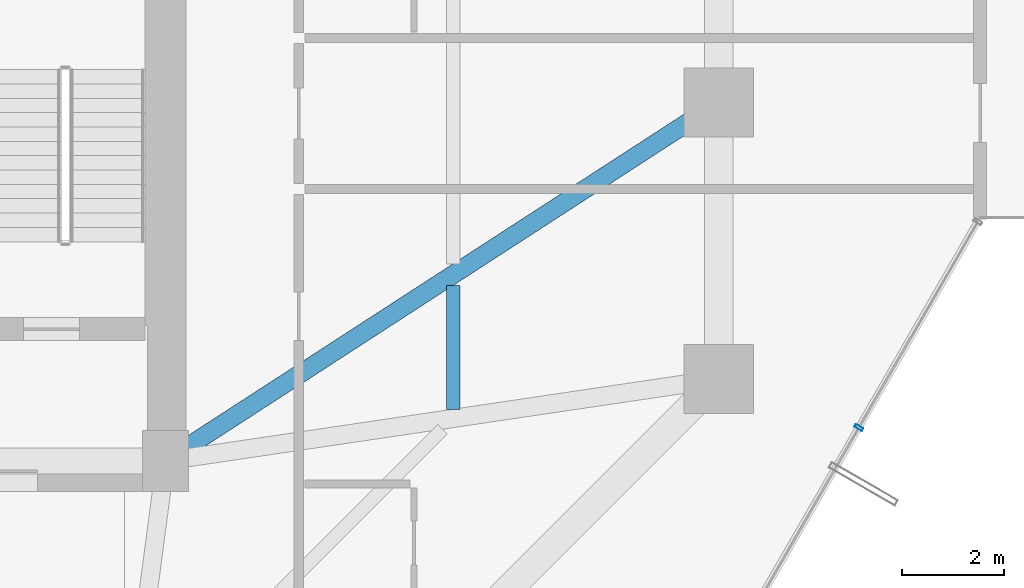
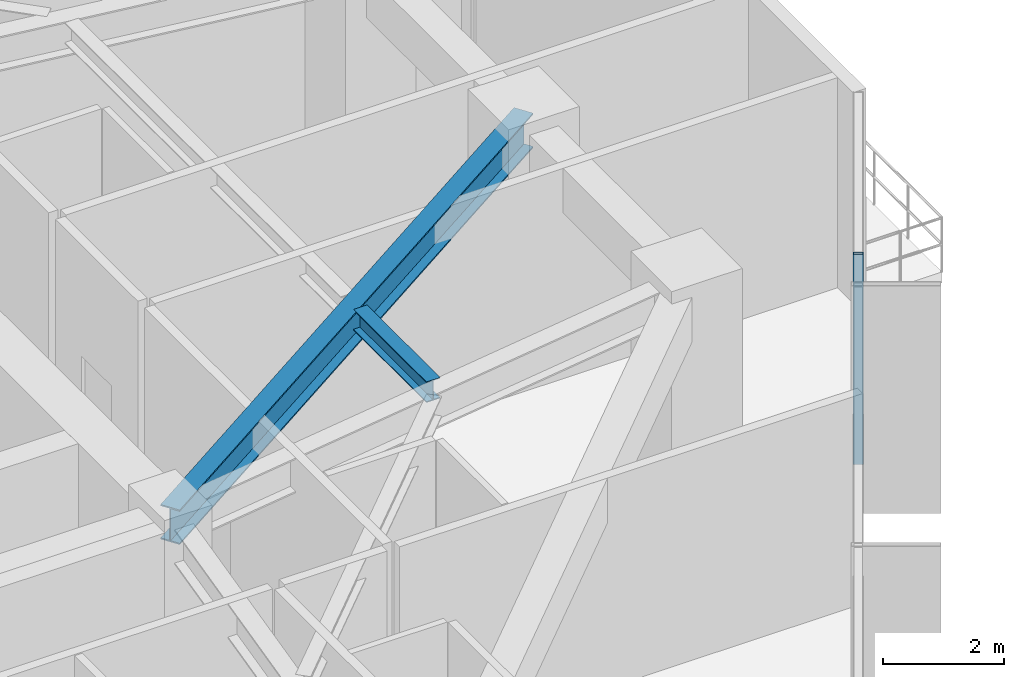
# One storey, part 18 of 39: 2 beams, 1 member, 1 element without a shape of its own.
"""IFC4 building model written with IfcOpenShell, lengths in metres."""

import ifcopenshell
import ifcopenshell.guid

model = None  # the IFC model being written
_history = None  # IfcOwnerHistory: only IFC2X3 demands one
_inside = {}  # id of a spatial element -> (the spatial element, [elements in it])
_under = {}  # id of a project, library or spatial element -> (it, [spatial elements below it])
_declared = {}  # id of a project -> (the project, [libraries it declares])
_typed = {}  # id of a type object -> (the type object, [elements of that type])
_made_of = {}  # id of a material, layer set ... -> (it, [elements and type objects made of it])


def new_model(schema):
    """Start an empty IFC model of exactly this schema.

    Asked for "IFC4X3", IfcOpenShell would pick the latest addendum, in which some entities
    have other attributes; the version numbers below select the first issue.
    IFC2X3 requires an IfcOwnerHistory on every rooted entity: one is made here for all.
    """
    global model, _history
    if schema == "IFC4X3":
        model = ifcopenshell.file(schema_version=(4, 3, 0, 0))
    else:
        model = ifcopenshell.file(schema=schema)
    _inside.clear()
    _under.clear()
    _declared.clear()
    _typed.clear()
    _made_of.clear()
    _history = None
    if model.schema == "IFC2X3":
        org = make("IfcOrganization", Name="unknown")
        user = make(
            "IfcPersonAndOrganization",
            ThePerson=make("IfcPerson", FamilyName="unknown"),
            TheOrganization=org,
        )
        app = make(
            "IfcApplication",
            ApplicationDeveloper=org,
            Version="unknown",
            ApplicationFullName="unknown",
            ApplicationIdentifier="unknown",
        )
        _history = make(
            "IfcOwnerHistory",
            OwningUser=user,
            OwningApplication=app,
            ChangeAction="ADDED",
            CreationDate=0,
        )
    return model


def make(cls, **values):
    """One entity of the class cls with the attributes given. An attribute that is None is left unset."""
    return model.create_entity(
        cls, **{name: value for name, value in values.items() if value is not None}
    )


def rooted(cls, **values):
    """An entity with a GlobalId (a new one), such as an element, a storey or a relation."""
    return make(cls, GlobalId=ifcopenshell.guid.new(), OwnerHistory=_history, **values)


def si_unit(unit_type, name, prefix=None):
    """IfcSIUnit, for example si_unit("LENGTHUNIT", "METRE", prefix="MILLI")."""
    return make("IfcSIUnit", UnitType=unit_type, Prefix=prefix, Name=name)


def assignment(units):
    """IfcUnitAssignment: the units of a project."""
    return None if units is None else make("IfcUnitAssignment", Units=units)


def point(xyz):
    """IfcCartesianPoint."""
    return None if xyz is None else make("IfcCartesianPoint", Coordinates=xyz)


def direction(xyz):
    """IfcDirection."""
    return None if xyz is None else make("IfcDirection", DirectionRatios=xyz)


def frame(location, z_axis=None, x_axis=None):
    """IfcAxis2Placement3D, a coordinate frame: its origin and axes. An axis left out is left unset."""
    return make(
        "IfcAxis2Placement3D",
        Location=point(location),
        Axis=direction(z_axis),
        RefDirection=direction(x_axis),
    )


def frame_2d(location, x_axis=None):
    """IfcAxis2Placement2D, a coordinate frame in the plane: its origin and x axis."""
    return make(
        "IfcAxis2Placement2D", Location=point(location), RefDirection=direction(x_axis)
    )


def origin():
    """The frame at (0, 0, 0) with its axes left unset."""
    return frame((0.0, 0.0, 0.0))


def origin_2d():
    """The frame at (0, 0) in the plane with its x axis left unset."""
    return frame_2d((0.0, 0.0))


def place(relative_to, where):
    """IfcLocalPlacement: puts the frame where relative to a parent placement (None: the world)."""
    return make(
        "IfcLocalPlacement", PlacementRelTo=relative_to, RelativePlacement=where
    )


def context(
    kind, dimensions, precision=None, world=None, true_north=None, identifier=None
):
    """IfcGeometricRepresentationContext, for example the 3D "Model" context."""
    return make(
        "IfcGeometricRepresentationContext",
        ContextIdentifier=identifier,
        ContextType=kind,
        CoordinateSpaceDimension=dimensions,
        Precision=precision,
        WorldCoordinateSystem=world,
        TrueNorth=true_north,
    )


def subcontext(parent, identifier, kind, view, scale=None):
    """IfcGeometricRepresentationSubContext, for example "Body" below "Model"."""
    return make(
        "IfcGeometricRepresentationSubContext",
        ContextIdentifier=identifier,
        ContextType=kind,
        ParentContext=parent,
        TargetScale=scale,
        TargetView=view,
    )


def project(units=None, contexts=None):
    """IfcProject with its units and contexts."""
    return rooted(
        "IfcProject",
        Name="project",
        RepresentationContexts=contexts,
        UnitsInContext=assignment(units),
    )


def spatial(cls, under=None, at=None, **own):
    """A site, building, storey or space (cls), placed at a placement, below another one or the project."""
    s = rooted(cls, ObjectPlacement=at, **own)
    if under is not None:
        _under.setdefault(under.id(), (under, []))[1].append(s)
    return s


def profile(cls, at=None, kind="AREA", **sizes):
    """A parametric profile (cls). Its sizes go by their IFC names, for example OverallWidth=200.0."""
    return make(cls, ProfileType=kind, Position=at, **sizes)


def hollow_rectangle(**sizes):
    """IfcRectangleHollowProfileDef."""
    return profile("IfcRectangleHollowProfileDef", **sizes)


def i_section(**sizes):
    """IfcIShapeProfileDef."""
    return profile("IfcIShapeProfileDef", **sizes)


def extrude(swept, where, along, depth):
    """IfcExtrudedAreaSolid: the profile swept, set in the frame where, extruded along a direction by depth."""
    return make(
        "IfcExtrudedAreaSolid",
        SweptArea=swept,
        Position=where,
        ExtrudedDirection=direction(along),
        Depth=depth,
    )


def shape(context_of_items, identifier, shape_type, items):
    """IfcShapeRepresentation: the items that make up one representation, for example the "Body"."""
    return make(
        "IfcShapeRepresentation",
        ContextOfItems=context_of_items,
        RepresentationIdentifier=identifier,
        RepresentationType=shape_type,
        Items=items,
    )


def source(mapping_origin, context_of_items, identifier, shape_type, items):
    """IfcRepresentationMap: a shape defined once, which mapped items show again and again."""
    return make(
        "IfcRepresentationMap",
        MappingOrigin=mapping_origin,
        MappedRepresentation=shape(context_of_items, identifier, shape_type, items),
    )


def transform(
    local_origin,
    x_axis=None,
    y_axis=None,
    z_axis=None,
    scale=None,
    scale2=None,
    scale3=None,
    uniform=True,
):
    """IfcCartesianTransformationOperator3D, or its non-uniform kind. x_axis, y_axis, z_axis: its Axis1, 2, 3."""
    if uniform:
        return make(
            "IfcCartesianTransformationOperator3D",
            Axis1=direction(x_axis),
            Axis2=direction(y_axis),
            LocalOrigin=point(local_origin),
            Scale=scale,
            Axis3=direction(z_axis),
        )
    return make(
        "IfcCartesianTransformationOperator3DnonUniform",
        Axis1=direction(x_axis),
        Axis2=direction(y_axis),
        LocalOrigin=point(local_origin),
        Scale=scale,
        Axis3=direction(z_axis),
        Scale2=scale2,
        Scale3=scale3,
    )


def mapped(mapping_source, mapping_target):
    """IfcMappedItem: shows the shape of a source again, moved by a transform."""
    return make(
        "IfcMappedItem", MappingSource=mapping_source, MappingTarget=mapping_target
    )


def material(Name=None, Category=None):
    """IfcMaterial."""
    return make("IfcMaterial", Name=Name, Category=Category)


def layer(
    of_material, thickness, ventilated=None, Name=None, Category=None, Priority=None
):
    """IfcMaterialLayer: one layer of a wall or slab, of a material (None: an air gap)."""
    return make(
        "IfcMaterialLayer",
        Material=of_material,
        LayerThickness=thickness,
        IsVentilated=ventilated,
        Name=Name,
        Category=Category,
        Priority=Priority,
    )


def layer_set(layers, Name=None):
    """IfcMaterialLayerSet."""
    return make("IfcMaterialLayerSet", MaterialLayers=layers, LayerSetName=Name)


def material_profile(
    of_material, cross_section, Name=None, Category=None, Priority=None
):
    """IfcMaterialProfile: a cross section and its material."""
    return make(
        "IfcMaterialProfile",
        Name=Name,
        Material=of_material,
        Profile=cross_section,
        Priority=Priority,
        Category=Category,
    )


def profile_set(profiles, Name=None, composite=None):
    """IfcMaterialProfileSet."""
    return make(
        "IfcMaterialProfileSet",
        Name=Name,
        MaterialProfiles=profiles,
        CompositeProfile=composite,
    )


def made_of(thing, what):
    """Note that an element or type object is made of a material, layer set ...; save() writes the relation."""
    if what is not None:
        _made_of.setdefault(what.id(), (what, []))[1].append(thing)
    return thing


def type_object(cls, material=None, **own):
    """A type object (cls), such as IfcWallType, which elements share."""
    return made_of(rooted(cls, **own), material)


def element(
    cls,
    number,
    at=None,
    inside=None,
    cuts=None,
    type_object=None,
    material=None,
    context=None,
    identifier="Body",
    shape_type=None,
    held_by="IfcProductDefinitionShape",
    body=None,
    shapes=None,
    **own,
):
    """One element of the class cls, such as IfcWall. Its Tag is "e" and its number.

    at: its placement. inside: the storey or other place that contains it. cuts: it is an
    opening in that element (IfcRelVoidsElement). A single representation is given by context,
    identifier, shape_type and body (its items); several are given by shapes. held_by: the class
    of the entity that holds the representations. save() writes the other relations.
    """
    e = rooted(cls, Tag="e%d" % number, ObjectPlacement=at, **own)
    if body is not None:
        shapes = [shape(context, identifier, shape_type, body)]
    if shapes is not None:
        e.Representation = make(held_by, Representations=shapes)
    if inside is not None:
        _inside.setdefault(inside.id(), (inside, []))[1].append(e)
    if cuts is not None:
        rooted(
            "IfcRelVoidsElement", RelatingBuildingElement=cuts, RelatedOpeningElement=e
        )
    if type_object is not None:
        _typed.setdefault(type_object.id(), (type_object, []))[1].append(e)
    return made_of(e, material)


def aggregate(whole, parts):
    """IfcRelAggregates: a whole, such as a stair, and the parts it consists of."""
    return rooted("IfcRelAggregates", RelatingObject=whole, RelatedObjects=parts)


def save(model, path):
    """Write the relations noted so far, then the file.

    IfcRelAggregates (storeys below a building ...), IfcRelContainedInSpatialStructure (elements
    in a storey), IfcRelDefinesByType, IfcRelAssociatesMaterial and IfcRelDeclares: one each for
    every whole, place, type object, material and project.
    """
    for whole, parts in _under.values():
        aggregate(whole, parts)
    for where, things in _inside.values():
        rooted(
            "IfcRelContainedInSpatialStructure",
            RelatedElements=things,
            RelatingStructure=where,
        )
    for kind, things in _typed.values():
        rooted("IfcRelDefinesByType", RelatedObjects=things, RelatingType=kind)
    for what, things in _made_of.values():
        rooted("IfcRelAssociatesMaterial", RelatedObjects=things, RelatingMaterial=what)
    for by, libraries in _declared.values():
        rooted("IfcRelDeclares", RelatingContext=by, RelatedDefinitions=libraries)
    model.write(path)


model = new_model("IFC4")

# Units and contexts
model_context = context("Model", 3, precision=1e-05, world=origin(), true_north=direction((0.0, 1.0)))
body_context = subcontext(model_context, "Body", "Model", "MODEL_VIEW")
ifc_project = project(units=[si_unit("LENGTHUNIT", "METRE"), si_unit("AREAUNIT", "SQUARE_METRE"), si_unit("VOLUMEUNIT", "CUBIC_METRE"), si_unit("PLANEANGLEUNIT", "RADIAN"), si_unit("MASSUNIT", "GRAM", prefix="KILO")], contexts=[model_context])

# Site, building, storey
site_placement = place(None, origin())
site = spatial("IfcSite", under=ifc_project, at=site_placement, CompositionType="ELEMENT")
building_placement = place(site_placement, origin())
building = spatial("IfcBuilding", under=site, at=building_placement, Name="Veraguas Prism Commons", CompositionType="ELEMENT")
storey_placement = place(building_placement, frame((0.0, 0.0, 22.800048828125)))
storey = spatial("IfcBuildingStorey", under=building, at=storey_placement, Name="L05", CompositionType="ELEMENT", Elevation=22.800048828125)

# Beams
ifc_material_1 = material(Name="Steel ASTM A992 Grade 50", Category="steel")
ifc_material_profile_1 = material_profile(ifc_material_1, i_section(OverallWidth=0.260986328125, OverallDepth=0.419921875, WebThickness=0.01171875, FlangeThickness=0.019287109375, at=origin_2d()), Name="W410X114")
ifc_profile_set_1 = profile_set([ifc_material_profile_1], Name="Steel ASTM A992 Grade 50")
beam_type_1 = type_object("IfcBeamType", Name="Lower Floor Joist W410x114", PredefinedType="JOIST", material=ifc_profile_set_1)
beam_1_placement = place(storey_placement, frame((36.416015625, 18.010009765625, 4.0400390625), z_axis=(0.0, 1.0, 0.0), x_axis=(-1.0, 0.0, 0.0)))
element("IfcBeam", 1, at=beam_1_placement, inside=storey, type_object=beam_type_1, Name="Composite Floor Joist L05-JS01", PredefinedType="JOIST", context=body_context, shape_type="SweptSolid", body=[
    extrude(i_section(OverallWidth=0.260986328125, OverallDepth=0.419921875, WebThickness=0.01171875, FlangeThickness=0.019287109375, at=origin_2d()), origin(), (0.0, 0.0, 1.0), 2.42041015625),
])
ifc_material_profile_2 = material_profile(ifc_material_1, i_section(OverallWidth=0.35595703125, OverallDepth=0.700927734375, WebThickness=0.016845703125, FlangeThickness=0.02734375, at=origin_2d()), Name="W690X240")
ifc_profile_set_2 = profile_set([ifc_material_profile_2], Name="Steel ASTM A992 Grade 50")
beam_type_2 = type_object("IfcBeamType", Name="Zone 1 Radial Girder W690x240", PredefinedType="BEAM", material=ifc_profile_set_2)
beam_2_placement = place(storey_placement, frame((41.60009765625, 24.0, 3.8994140625), z_axis=(-0.839154108875, -0.543893722668, 0.0), x_axis=(0.543893722668, -0.839154108875, 0.0)))
element("IfcBeam", 2, at=beam_2_placement, inside=storey, type_object=beam_type_2, Name="Radial Floor Girder L05-RD02", PredefinedType="BEAM", context=body_context, shape_type="SweptSolid", body=[
    extrude(i_section(OverallWidth=0.35595703125, OverallDepth=0.700927734375, WebThickness=0.016845703125, FlangeThickness=0.02734375, at=origin_2d()), origin(), (0.0, 0.0, 1.0), 12.8701171875),
])

# Curtain wall, member
ifc_material_2 = material(Name="Anodised aluminium EN AW-6063 T6", Category="aluminium")
ifc_layer = layer(ifc_material_2, 0.169921875, Name="Unitised Flush Curtain Wall Zone 1", Category="aluminium")
ifc_layer_set = layer_set([ifc_layer], Name="Anodised aluminium EN AW-6063 T6")
curtain_wall_type = type_object("IfcCurtainWallType", Name="Unitised Flush Curtain Wall Zone 1", PredefinedType="NOTDEFINED", material=ifc_layer_set)
curtain_wall_placement = place(storey_placement, origin())
curtain_wall = element("IfcCurtainWall", 3, at=curtain_wall_placement, inside=storey, type_object=curtain_wall_type, Name="Tower Facade Curtain Wall L05-F6", PredefinedType="NOTDEFINED")
ifc_material_profile_3 = material_profile(ifc_material_2, hollow_rectangle(XDim=0.06005859375, YDim=0.169921875, WallThickness=0.00390625, at=origin_2d()), Name="AL60X170X4")
ifc_profile_set_3 = profile_set([ifc_material_profile_3], Name="Anodised aluminium EN AW-6063 T6")
member_type = type_object("IfcMemberType", Name="Curtain Wall Mullion Lower AL 60x170x4", PredefinedType="MULLION", material=ifc_profile_set_3)
shared_shape = source(origin(), body_context, "Body", "SweptSolid", [
    extrude(hollow_rectangle(XDim=0.06005859375, YDim=0.169921875, WallThickness=0.00390625, at=origin_2d()), origin(), (0.0, 0.0, 1.0), 4.25),
])
member_placement = place(storey_placement, frame((44.33544921875, 17.65283203125, 0.0), z_axis=(0.0, 0.0, 1.0), x_axis=(0.500004534492, 0.866022785779, 0.0)))
member = element("IfcMember", 4, at=member_placement, type_object=member_type, Name="CW-Z1 Mullion 4", PredefinedType="MULLION", context=body_context, shape_type="MappedRepresentation", body=[
    mapped(shared_shape, transform((0.0, 0.0, 0.0), scale=1.0)),
])
aggregate(curtain_wall, [member])

save(model, "model.ifc")
